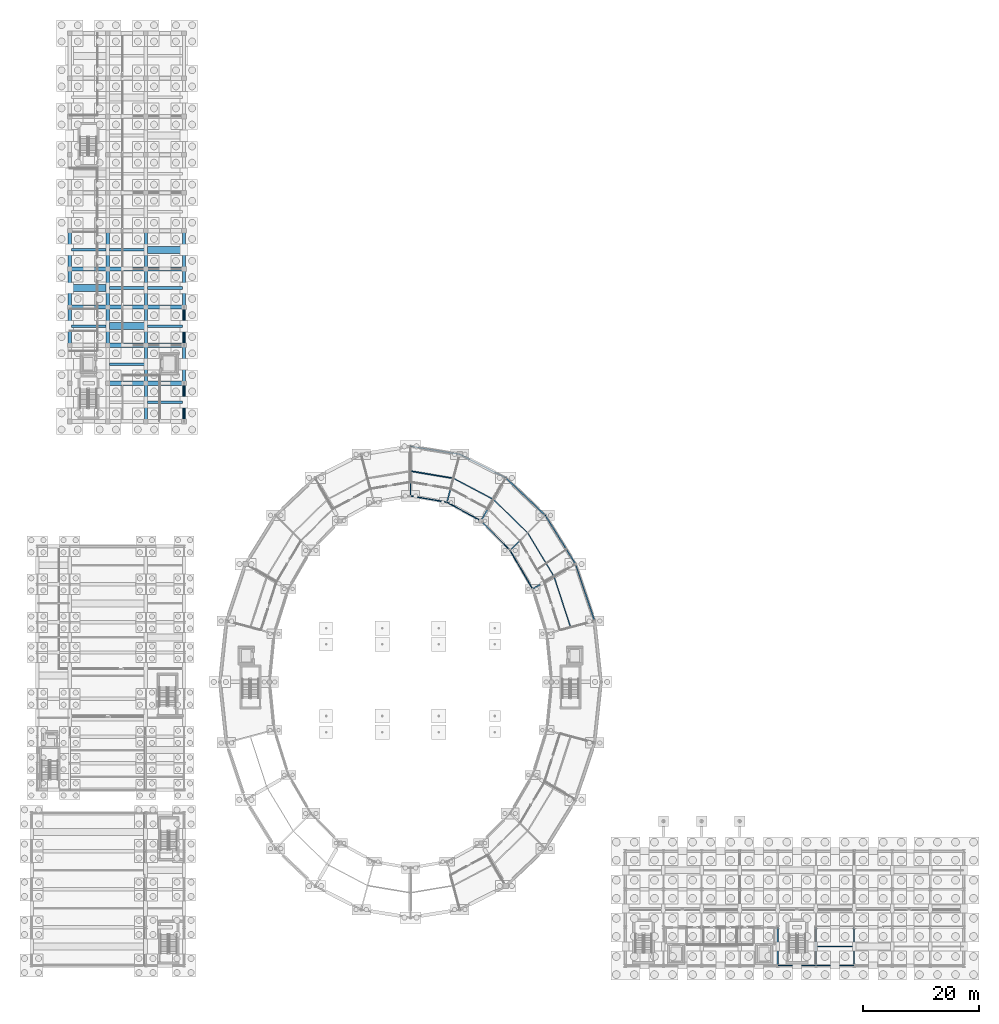
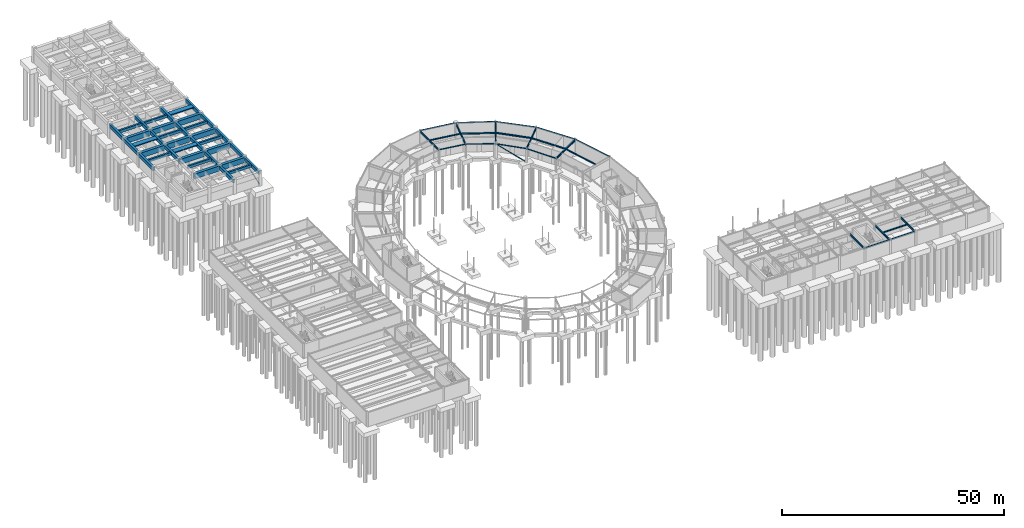
# One storey, part 27 of 58: 62 beams, 3 members.
"""IFC4 building model written with IfcOpenShell, lengths in metres."""

import ifcopenshell
import ifcopenshell.guid

model = None  # the IFC model being written
_history = None  # IfcOwnerHistory: only IFC2X3 demands one
_inside = {}  # id of a spatial element -> (the spatial element, [elements in it])
_under = {}  # id of a project, library or spatial element -> (it, [spatial elements below it])
_declared = {}  # id of a project -> (the project, [libraries it declares])
_typed = {}  # id of a type object -> (the type object, [elements of that type])
_made_of = {}  # id of a material, layer set ... -> (it, [elements and type objects made of it])


def new_model(schema):
    """Start an empty IFC model of exactly this schema.

    Asked for "IFC4X3", IfcOpenShell would pick the latest addendum, in which some entities
    have other attributes; the version numbers below select the first issue.
    IFC2X3 requires an IfcOwnerHistory on every rooted entity: one is made here for all.
    """
    global model, _history
    if schema == "IFC4X3":
        model = ifcopenshell.file(schema_version=(4, 3, 0, 0))
    else:
        model = ifcopenshell.file(schema=schema)
    _inside.clear()
    _under.clear()
    _declared.clear()
    _typed.clear()
    _made_of.clear()
    _history = None
    if model.schema == "IFC2X3":
        org = make("IfcOrganization", Name="unknown")
        user = make(
            "IfcPersonAndOrganization",
            ThePerson=make("IfcPerson", FamilyName="unknown"),
            TheOrganization=org,
        )
        app = make(
            "IfcApplication",
            ApplicationDeveloper=org,
            Version="unknown",
            ApplicationFullName="unknown",
            ApplicationIdentifier="unknown",
        )
        _history = make(
            "IfcOwnerHistory",
            OwningUser=user,
            OwningApplication=app,
            ChangeAction="ADDED",
            CreationDate=0,
        )
    return model


def make(cls, **values):
    """One entity of the class cls with the attributes given. An attribute that is None is left unset."""
    return model.create_entity(
        cls, **{name: value for name, value in values.items() if value is not None}
    )


def rooted(cls, **values):
    """An entity with a GlobalId (a new one), such as an element, a storey or a relation."""
    return make(cls, GlobalId=ifcopenshell.guid.new(), OwnerHistory=_history, **values)


def si_unit(unit_type, name, prefix=None):
    """IfcSIUnit, for example si_unit("LENGTHUNIT", "METRE", prefix="MILLI")."""
    return make("IfcSIUnit", UnitType=unit_type, Prefix=prefix, Name=name)


def assignment(units):
    """IfcUnitAssignment: the units of a project."""
    return None if units is None else make("IfcUnitAssignment", Units=units)


def point(xyz):
    """IfcCartesianPoint."""
    return None if xyz is None else make("IfcCartesianPoint", Coordinates=xyz)


def direction(xyz):
    """IfcDirection."""
    return None if xyz is None else make("IfcDirection", DirectionRatios=xyz)


def frame(location, z_axis=None, x_axis=None):
    """IfcAxis2Placement3D, a coordinate frame: its origin and axes. An axis left out is left unset."""
    return make(
        "IfcAxis2Placement3D",
        Location=point(location),
        Axis=direction(z_axis),
        RefDirection=direction(x_axis),
    )


def frame_2d(location, x_axis=None):
    """IfcAxis2Placement2D, a coordinate frame in the plane: its origin and x axis."""
    return make(
        "IfcAxis2Placement2D", Location=point(location), RefDirection=direction(x_axis)
    )


def origin():
    """The frame at (0, 0, 0) with its axes left unset."""
    return frame((0.0, 0.0, 0.0))


def origin_2d():
    """The frame at (0, 0) in the plane with its x axis left unset."""
    return frame_2d((0.0, 0.0))


def place(relative_to, where):
    """IfcLocalPlacement: puts the frame where relative to a parent placement (None: the world)."""
    return make(
        "IfcLocalPlacement", PlacementRelTo=relative_to, RelativePlacement=where
    )


def context(
    kind, dimensions, precision=None, world=None, true_north=None, identifier=None
):
    """IfcGeometricRepresentationContext, for example the 3D "Model" context."""
    return make(
        "IfcGeometricRepresentationContext",
        ContextIdentifier=identifier,
        ContextType=kind,
        CoordinateSpaceDimension=dimensions,
        Precision=precision,
        WorldCoordinateSystem=world,
        TrueNorth=true_north,
    )


def subcontext(parent, identifier, kind, view, scale=None):
    """IfcGeometricRepresentationSubContext, for example "Body" below "Model"."""
    return make(
        "IfcGeometricRepresentationSubContext",
        ContextIdentifier=identifier,
        ContextType=kind,
        ParentContext=parent,
        TargetScale=scale,
        TargetView=view,
    )


def project(units=None, contexts=None):
    """IfcProject with its units and contexts."""
    return rooted(
        "IfcProject",
        Name="project",
        RepresentationContexts=contexts,
        UnitsInContext=assignment(units),
    )


def spatial(cls, under=None, at=None, **own):
    """A site, building, storey or space (cls), placed at a placement, below another one or the project."""
    s = rooted(cls, ObjectPlacement=at, **own)
    if under is not None:
        _under.setdefault(under.id(), (under, []))[1].append(s)
    return s


def profile(cls, at=None, kind="AREA", **sizes):
    """A parametric profile (cls). Its sizes go by their IFC names, for example OverallWidth=200.0."""
    return make(cls, ProfileType=kind, Position=at, **sizes)


def rectangle(**sizes):
    """IfcRectangleProfileDef."""
    return profile("IfcRectangleProfileDef", **sizes)


def hollow_rectangle(**sizes):
    """IfcRectangleHollowProfileDef."""
    return profile("IfcRectangleHollowProfileDef", **sizes)


def hollow_circle(**sizes):
    """IfcCircleHollowProfileDef."""
    return profile("IfcCircleHollowProfileDef", **sizes)


def i_section(**sizes):
    """IfcIShapeProfileDef."""
    return profile("IfcIShapeProfileDef", **sizes)


def extrude(swept, where, along, depth):
    """IfcExtrudedAreaSolid: the profile swept, set in the frame where, extruded along a direction by depth."""
    return make(
        "IfcExtrudedAreaSolid",
        SweptArea=swept,
        Position=where,
        ExtrudedDirection=direction(along),
        Depth=depth,
    )


def shape(context_of_items, identifier, shape_type, items):
    """IfcShapeRepresentation: the items that make up one representation, for example the "Body"."""
    return make(
        "IfcShapeRepresentation",
        ContextOfItems=context_of_items,
        RepresentationIdentifier=identifier,
        RepresentationType=shape_type,
        Items=items,
    )


def material(Name=None, Category=None):
    """IfcMaterial."""
    return make("IfcMaterial", Name=Name, Category=Category)


def material_profile(
    of_material, cross_section, Name=None, Category=None, Priority=None
):
    """IfcMaterialProfile: a cross section and its material."""
    return make(
        "IfcMaterialProfile",
        Name=Name,
        Material=of_material,
        Profile=cross_section,
        Priority=Priority,
        Category=Category,
    )


def profile_set(profiles, Name=None, composite=None):
    """IfcMaterialProfileSet."""
    return make(
        "IfcMaterialProfileSet",
        Name=Name,
        MaterialProfiles=profiles,
        CompositeProfile=composite,
    )


def made_of(thing, what):
    """Note that an element or type object is made of a material, layer set ...; save() writes the relation."""
    if what is not None:
        _made_of.setdefault(what.id(), (what, []))[1].append(thing)
    return thing


def type_object(cls, material=None, **own):
    """A type object (cls), such as IfcWallType, which elements share."""
    return made_of(rooted(cls, **own), material)


def element(
    cls,
    number,
    at=None,
    inside=None,
    cuts=None,
    type_object=None,
    material=None,
    context=None,
    identifier="Body",
    shape_type=None,
    held_by="IfcProductDefinitionShape",
    body=None,
    shapes=None,
    **own,
):
    """One element of the class cls, such as IfcWall. Its Tag is "e" and its number.

    at: its placement. inside: the storey or other place that contains it. cuts: it is an
    opening in that element (IfcRelVoidsElement). A single representation is given by context,
    identifier, shape_type and body (its items); several are given by shapes. held_by: the class
    of the entity that holds the representations. save() writes the other relations.
    """
    e = rooted(cls, Tag="e%d" % number, ObjectPlacement=at, **own)
    if body is not None:
        shapes = [shape(context, identifier, shape_type, body)]
    if shapes is not None:
        e.Representation = make(held_by, Representations=shapes)
    if inside is not None:
        _inside.setdefault(inside.id(), (inside, []))[1].append(e)
    if cuts is not None:
        rooted(
            "IfcRelVoidsElement", RelatingBuildingElement=cuts, RelatedOpeningElement=e
        )
    if type_object is not None:
        _typed.setdefault(type_object.id(), (type_object, []))[1].append(e)
    return made_of(e, material)


def aggregate(whole, parts):
    """IfcRelAggregates: a whole, such as a stair, and the parts it consists of."""
    return rooted("IfcRelAggregates", RelatingObject=whole, RelatedObjects=parts)


def save(model, path):
    """Write the relations noted so far, then the file.

    IfcRelAggregates (storeys below a building ...), IfcRelContainedInSpatialStructure (elements
    in a storey), IfcRelDefinesByType, IfcRelAssociatesMaterial and IfcRelDeclares: one each for
    every whole, place, type object, material and project.
    """
    for whole, parts in _under.values():
        aggregate(whole, parts)
    for where, things in _inside.values():
        rooted(
            "IfcRelContainedInSpatialStructure",
            RelatedElements=things,
            RelatingStructure=where,
        )
    for kind, things in _typed.values():
        rooted("IfcRelDefinesByType", RelatedObjects=things, RelatingType=kind)
    for what, things in _made_of.values():
        rooted("IfcRelAssociatesMaterial", RelatedObjects=things, RelatingMaterial=what)
    for by, libraries in _declared.values():
        rooted("IfcRelDeclares", RelatingContext=by, RelatedDefinitions=libraries)
    model.write(path)


model = new_model("IFC4")

# Units and contexts
model_context = context("Model", 3, precision=1e-05, world=origin(), true_north=direction((0.0, 1.0)))
body_context = subcontext(model_context, "Body", "Model", "MODEL_VIEW")
ifc_project = project(units=[si_unit("LENGTHUNIT", "METRE"), si_unit("AREAUNIT", "SQUARE_METRE"), si_unit("VOLUMEUNIT", "CUBIC_METRE"), si_unit("PLANEANGLEUNIT", "RADIAN"), si_unit("MASSUNIT", "GRAM", prefix="KILO")], contexts=[model_context])

# Site, building, storey
site_placement = place(None, origin())
site = spatial("IfcSite", under=ifc_project, at=site_placement, CompositionType="ELEMENT")
building_placement = place(site_placement, origin())
building = spatial("IfcBuilding", under=site, at=building_placement, Name="Karori Crest Natural Sciences Institute", CompositionType="ELEMENT")
storey_placement = place(building_placement, frame((0.0, 0.0, -4.199951171875)))
storey = spatial("IfcBuildingStorey", under=building, at=storey_placement, Name="B1", CompositionType="ELEMENT", Elevation=-4.199951171875)

# Beams
ifc_material_1 = material(Name="Structural steel AS/NZS 3679.1 Grade 350", Category="steel")
ifc_material_profile_1 = material_profile(ifc_material_1, i_section(OverallWidth=0.22900390625, OverallDepth=0.612060546875, WebThickness=0.011962890625, FlangeThickness=0.01953125, FilletRadius=0.013916015625, at=origin_2d()), Name="610UB125")
ifc_profile_set_1 = profile_set([ifc_material_profile_1], Name="Structural steel AS/NZS 3679.1 Grade 350")
beam_type_1 = type_object("IfcBeamType", Name="BT-04", PredefinedType="BEAM", material=ifc_profile_set_1)
beam_1_placement = place(storey_placement, frame((78.60009765625, 77.785888671875, 3.634033203125), z_axis=(0.499973925258, 0.86604045752, 0.0), x_axis=(-0.86604045752, 0.499973925258, 0.0)))
element("IfcBeam", 1, at=beam_1_placement, inside=storey, type_object=beam_type_1, Name="Beam B-0017", PredefinedType="BEAM", context=body_context, shape_type="SweptSolid", body=[
    extrude(i_section(OverallWidth=0.22900390625, OverallDepth=0.612060546875, WebThickness=0.011962890625, FlangeThickness=0.01953125, FilletRadius=0.013916015625, at=origin_2d()), origin(), (0.0, 0.0, 1.0), 8.60009765625),
])
ifc_material_profile_2 = material_profile(ifc_material_1, i_section(OverallWidth=0.208984375, OverallDepth=0.532958984375, WebThickness=0.01025390625, FlangeThickness=0.015625, FilletRadius=0.013916015625, at=origin_2d()), Name="530UB92.4")
ifc_profile_set_2 = profile_set([ifc_material_profile_2], Name="Structural steel AS/NZS 3679.1 Grade 350")
beam_type_2 = type_object("IfcBeamType", Name="BT-05", PredefinedType="BEAM", material=ifc_profile_set_2)
beam_2_placement = place(storey_placement, frame((87.531005859375, 66.0, 3.67333984375), z_axis=(0.866021068297, 0.500007509209, 0.0), x_axis=(-0.500007509209, 0.866021068297, 0.0)))
element("IfcBeam", 2, at=beam_2_placement, inside=storey, type_object=beam_type_2, Name="Beam B-0009", PredefinedType="BEAM", context=body_context, shape_type="SweptSolid", body=[
    extrude(i_section(OverallWidth=0.208984375, OverallDepth=0.532958984375, WebThickness=0.01025390625, FlangeThickness=0.015625, FilletRadius=0.013916015625, at=origin_2d()), origin(), (0.0, 0.0, 1.0), 8.599853515625),
])
beam_3_placement = place(storey_placement, frame((83.6533203125, 72.668701171875, 3.67333984375), z_axis=(0.707106781187, 0.707106781187, 0.0), x_axis=(-0.707106781187, 0.707106781187, 0.0)))
element("IfcBeam", 3, at=beam_3_placement, inside=storey, type_object=beam_type_2, Name="Beam B-0013", PredefinedType="BEAM", context=body_context, shape_type="SweptSolid", body=[
    extrude(i_section(OverallWidth=0.208984375, OverallDepth=0.532958984375, WebThickness=0.01025390625, FlangeThickness=0.015625, FilletRadius=0.013916015625, at=origin_2d()), origin(), (0.0, 0.0, 1.0), 8.600341796875),
])
beam_4_placement = place(storey_placement, frame((66.39990234375, 82.10009765625, 3.67333984375), z_axis=(0.0, 1.0, 0.0), x_axis=(-1.0, 0.0, 0.0)))
element("IfcBeam", 4, at=beam_4_placement, inside=storey, type_object=beam_type_2, Name="Beam B-0025", PredefinedType="BEAM", context=body_context, shape_type="SweptSolid", body=[
    extrude(i_section(OverallWidth=0.208984375, OverallDepth=0.532958984375, WebThickness=0.01025390625, FlangeThickness=0.015625, FilletRadius=0.013916015625, at=origin_2d()), origin(), (0.0, 0.0, 1.0), 8.599853515625),
])
for number, where, z_axis, x_axis, name in (
    (5, (130.0, 0.800048828125, 3.653564453125), (0.0, 1.0, 0.0), (-1.0, 0.0, 0.0), "Beam B-1980"),
    (6, (136.60009765625, 0.800048828125, 3.653564453125), (0.0, 1.0, 0.0), (-1.0, 0.0, 0.0), "Beam B-1983"),
    (7, (143.199951171875, 0.800048828125, 3.653564453125), (0.0, 1.0, 0.0), (-1.0, 0.0, 0.0), "Beam B-1986"),
):
    element("IfcBeam", number, at=place(storey_placement, frame(where, z_axis=z_axis, x_axis=x_axis)), inside=storey, type_object=beam_type_2, Name=name, PredefinedType="BEAM", context=body_context, shape_type="SweptSolid", body=[
        extrude(i_section(OverallWidth=0.208984375, OverallDepth=0.532958984375, WebThickness=0.01025390625, FlangeThickness=0.015625, FilletRadius=0.013916015625, at=origin_2d()), origin(), (0.0, 0.0, 1.0), 6.599853515625),
    ])
ifc_material_profile_3 = material_profile(ifc_material_1, i_section(OverallWidth=0.172119140625, OverallDepth=0.35888671875, WebThickness=0.008056640625, FlangeThickness=0.012939453125, FilletRadius=0.010986328125, at=origin_2d()), Name="360UB56.7")
ifc_profile_set_3 = profile_set([ifc_material_profile_3], Name="Structural steel AS/NZS 3679.1 Grade 350")
beam_type_3 = type_object("IfcBeamType", Name="BT-08", PredefinedType="BEAM", material=ifc_profile_set_3)
beam_5_placement = place(storey_placement, frame((136.70458984375, 4.10009765625, 3.740478515625), z_axis=(1.0, 0.0, 0.0), x_axis=(0.0, 1.0, 0.0)))
element("IfcBeam", 8, at=beam_5_placement, inside=storey, type_object=beam_type_3, Name="Beam B-2009", PredefinedType="BEAM", context=body_context, shape_type="SweptSolid", body=[
    extrude(i_section(OverallWidth=0.172119140625, OverallDepth=0.35888671875, WebThickness=0.008056640625, FlangeThickness=0.012939453125, FilletRadius=0.010986328125, at=origin_2d()), origin(), (0.0, 0.0, 1.0), 6.390869140625),
])
ifc_material_profile_4 = material_profile(ifc_material_1, i_section(OverallWidth=0.166015625, OverallDepth=0.306884765625, WebThickness=0.006591796875, FlangeThickness=0.01171875, FilletRadius=0.010986328125, at=origin_2d()), Name="310UB46.2")
ifc_profile_set_4 = profile_set([ifc_material_profile_4], Name="Structural steel AS/NZS 3679.1 Grade 350")
beam_type_4 = type_object("IfcBeamType", Name="BT-09", PredefinedType="BEAM", material=ifc_profile_set_4)
beam_6_placement = place(storey_placement, frame((86.608154296875, 75.793212890625, 3.786376953125), z_axis=(-0.715696324431, 0.698411605857, 0.0), x_axis=(-0.698411605857, -0.715696324431, 0.0)))
element("IfcBeam", 9, at=beam_6_placement, inside=storey, type_object=beam_type_4, Name="Beam B-0014", PredefinedType="BEAM", context=body_context, shape_type="SweptSolid", body=[
    extrude(i_section(OverallWidth=0.166015625, OverallDepth=0.306884765625, WebThickness=0.006591796875, FlangeThickness=0.01171875, FilletRadius=0.010986328125, at=origin_2d()), origin(), (0.0, 0.0, 1.0), 8.065185546875),
])
ifc_material_profile_5 = material_profile(ifc_material_1, i_section(OverallWidth=0.1650390625, OverallDepth=0.303955078125, WebThickness=0.006103515625, FlangeThickness=0.01025390625, FilletRadius=0.010986328125, at=origin_2d()), Name="310UB40.4")
ifc_profile_set_5 = profile_set([ifc_material_profile_5], Name="Structural steel AS/NZS 3679.1 Grade 350")
beam_type_5 = type_object("IfcBeamType", Name="BT-10", PredefinedType="BEAM", material=ifc_profile_set_5)
beam_7_placement = place(storey_placement, frame((91.19287109375, 68.252685546875, 3.787841796875), z_axis=(-0.516601017309, 0.856226248672, 0.0), x_axis=(-0.856226248672, -0.516601017309, 0.0)))
element("IfcBeam", 10, at=beam_7_placement, inside=storey, type_object=beam_type_5, Name="Beam B-0010", PredefinedType="BEAM", context=body_context, shape_type="SweptSolid", body=[
    extrude(i_section(OverallWidth=0.1650390625, OverallDepth=0.303955078125, WebThickness=0.006103515625, FlangeThickness=0.01025390625, FilletRadius=0.010986328125, at=origin_2d()), origin(), (0.0, 0.0, 1.0), 8.5888671875),
])
ifc_material_2 = material(Name="Hollow structural steel AS/NZS 1163 Grade C350", Category="steel")
ifc_material_profile_6 = material_profile(ifc_material_2, hollow_rectangle(XDim=0.199951171875, YDim=0.39990234375, WallThickness=0.012451171875, at=origin_2d()), Name="RHS400x200x12.5")
ifc_profile_set_6 = profile_set([ifc_material_profile_6], Name="Hollow structural steel AS/NZS 1163 Grade C350")
beam_type_6 = type_object("IfcBeamType", Name="BT-14", PredefinedType="SPANDREL", material=ifc_profile_set_6)
beam_8_placement = place(storey_placement, frame((130.0, 0.800048828125, 3.719970703125), z_axis=(1.0, 0.0, 0.0), x_axis=(0.0, 1.0, 0.0)))
element("IfcBeam", 11, at=beam_8_placement, inside=storey, type_object=beam_type_6, Name="Beam B-1938", PredefinedType="SPANDREL", context=body_context, shape_type="SweptSolid", body=[
    extrude(hollow_rectangle(XDim=0.199951171875, YDim=0.39990234375, WallThickness=0.012451171875, at=origin_2d()), origin(), (0.0, 0.0, 1.0), 6.60009765625),
])
beam_9_placement = place(storey_placement, frame((136.60009765625, 0.800048828125, 3.719970703125), z_axis=(1.0, 0.0, 0.0), x_axis=(0.0, 1.0, 0.0)))
element("IfcBeam", 12, at=beam_9_placement, inside=storey, type_object=beam_type_6, Name="Beam B-1939", PredefinedType="SPANDREL", context=body_context, shape_type="SweptSolid", body=[
    extrude(hollow_rectangle(XDim=0.199951171875, YDim=0.39990234375, WallThickness=0.012451171875, at=origin_2d()), origin(), (0.0, 0.0, 1.0), 6.599853515625),
])
ifc_material_profile_7 = material_profile(ifc_material_2, hollow_rectangle(XDim=0.199951171875, YDim=0.300048828125, WallThickness=0.010009765625, at=origin_2d()), Name="RHS300x200x10")
ifc_profile_set_7 = profile_set([ifc_material_profile_7], Name="Hollow structural steel AS/NZS 1163 Grade C350")
beam_type_7 = type_object("IfcBeamType", Name="BT-15", PredefinedType="SPANDREL", material=ifc_profile_set_7)
beam_10_placement = place(storey_placement, frame((98.275634765625, 60.459716796875, 3.7900390625), z_axis=(-0.317681238028, 0.948197569605, 0.0), x_axis=(-0.948197569605, -0.317681238028, 0.0)))
element("IfcBeam", 13, at=beam_10_placement, inside=storey, type_object=beam_type_7, Name="Beam B-0003", PredefinedType="SPANDREL", context=body_context, shape_type="SweptSolid", body=[
    extrude(hollow_rectangle(XDim=0.199951171875, YDim=0.300048828125, WallThickness=0.010009765625, at=origin_2d()), origin(), (0.0, 0.0, 1.0), 10.3779296875),
])
beam_11_placement = place(storey_placement, frame((94.978759765625, 70.300048828125, 3.7900390625), z_axis=(-0.527315195609, 0.849669750244, 0.0), x_axis=(-0.849669750244, -0.527315195609, 0.0)))
element("IfcBeam", 14, at=beam_11_placement, inside=storey, type_object=beam_type_7, Name="Beam B-0007", PredefinedType="SPANDREL", context=body_context, shape_type="SweptSolid", body=[
    extrude(hollow_rectangle(XDim=0.199951171875, YDim=0.300048828125, WallThickness=0.010009765625, at=origin_2d()), origin(), (0.0, 0.0, 1.0), 9.945068359375),
])
beam_12_placement = place(storey_placement, frame((89.734619140625, 78.75, 3.7900390625), z_axis=(-0.725481282589, 0.688241896874, 0.0), x_axis=(-0.688241896874, -0.725481282589, 0.0)))
element("IfcBeam", 15, at=beam_12_placement, inside=storey, type_object=beam_type_7, Name="Beam B-0011", PredefinedType="SPANDREL", context=body_context, shape_type="SweptSolid", body=[
    extrude(hollow_rectangle(XDim=0.199951171875, YDim=0.300048828125, WallThickness=0.010009765625, at=origin_2d()), origin(), (0.0, 0.0, 1.0), 9.4208984375),
])
beam_13_placement = place(storey_placement, frame((82.89990234375, 85.23388671875, 3.7900390625), z_axis=(-0.890071733872, 0.455820478436, 0.0), x_axis=(-0.455820478436, -0.890071733872, 0.0)))
element("IfcBeam", 16, at=beam_13_placement, inside=storey, type_object=beam_type_7, Name="Beam B-0015", PredefinedType="SPANDREL", context=body_context, shape_type="SweptSolid", body=[
    extrude(hollow_rectangle(XDim=0.199951171875, YDim=0.300048828125, WallThickness=0.010009765625, at=origin_2d()), origin(), (0.0, 0.0, 1.0), 8.94189453125),
])
beam_14_placement = place(storey_placement, frame((74.94091796875, 89.309814453125, 3.7900390625), z_axis=(-0.987012055933, 0.160646199591, 0.0), x_axis=(-0.160646199591, -0.987012055933, 0.0)))
element("IfcBeam", 17, at=beam_14_placement, inside=storey, type_object=beam_type_7, Name="Beam B-0019", PredefinedType="SPANDREL", context=body_context, shape_type="SweptSolid", body=[
    extrude(hollow_rectangle(XDim=0.199951171875, YDim=0.300048828125, WallThickness=0.010009765625, at=origin_2d()), origin(), (0.0, 0.0, 1.0), 8.6533203125),
])
ifc_material_profile_8 = material_profile(ifc_material_2, hollow_rectangle(XDim=0.14990234375, YDim=0.25, WallThickness=0.009033203125, at=origin_2d()), Name="RHS250x150x9")
ifc_profile_set_8 = profile_set([ifc_material_profile_8], Name="Hollow structural steel AS/NZS 1163 Grade C350")
beam_type_8 = type_object("IfcBeamType", Name="BT-16", PredefinedType="SPANDREL", material=ifc_profile_set_8)
beam_15_placement = place(storey_placement, frame((87.531005859375, 66.0, 3.7900390625), z_axis=(-0.502672163425, 0.864477122958, 0.0), x_axis=(-0.864477122958, -0.502672163425, 0.0)))
element("IfcBeam", 18, at=beam_15_placement, inside=storey, type_object=beam_type_8, Name="Beam B-0008", PredefinedType="SPANDREL", context=body_context, shape_type="SweptSolid", body=[
    extrude(hollow_rectangle(XDim=0.14990234375, YDim=0.25, WallThickness=0.009033203125, at=origin_2d()), origin(), (0.0, 0.0, 1.0), 7.714111328125),
])
beam_16_placement = place(storey_placement, frame((83.6533203125, 72.668701171875, 3.7900390625), z_axis=(-0.702645672149, 0.711539921164, 0.0), x_axis=(-0.711539921164, -0.702645672149, 0.0)))
element("IfcBeam", 19, at=beam_16_placement, inside=storey, type_object=beam_type_8, Name="Beam B-0012", PredefinedType="SPANDREL", context=body_context, shape_type="SweptSolid", body=[
    extrude(hollow_rectangle(XDim=0.14990234375, YDim=0.25, WallThickness=0.009033203125, at=origin_2d()), origin(), (0.0, 0.0, 1.0), 7.191650390625),
])
beam_17_placement = place(storey_placement, frame((78.60009765625, 77.785888671875, 3.7900390625), z_axis=(-0.877469531616, 0.47963238119, 0.0), x_axis=(-0.47963238119, -0.877469531616, 0.0)))
element("IfcBeam", 20, at=beam_17_placement, inside=storey, type_object=beam_type_8, Name="Beam B-0016", PredefinedType="SPANDREL", context=body_context, shape_type="SweptSolid", body=[
    extrude(hollow_rectangle(XDim=0.14990234375, YDim=0.25, WallThickness=0.009033203125, at=origin_2d()), origin(), (0.0, 0.0, 1.0), 6.706787109375),
])
beam_18_placement = place(storey_placement, frame((72.715087890625, 81.002685546875, 3.7900390625), z_axis=(-0.985234948316, 0.171207758638, 0.0), x_axis=(-0.171207758638, -0.985234948316, 0.0)))
element("IfcBeam", 21, at=beam_18_placement, inside=storey, type_object=beam_type_8, Name="Beam B-0020", PredefinedType="SPANDREL", context=body_context, shape_type="SweptSolid", body=[
    extrude(hollow_rectangle(XDim=0.14990234375, YDim=0.25, WallThickness=0.009033203125, at=origin_2d()), origin(), (0.0, 0.0, 1.0), 6.409912109375),
])
ifc_material_3 = material(Name="Concrete 50 MPa", Category="concrete")
ifc_material_profile_9 = material_profile(ifc_material_3, rectangle(XDim=0.75, YDim=1.39990234375, at=origin_2d()), Name="RCB750x1400")
ifc_profile_set_9 = profile_set([ifc_material_profile_9], Name="Concrete 50 MPa")
beam_type_9 = type_object("IfcBeamType", Name="BT-17-IL", PredefinedType="BEAM", material=ifc_profile_set_9)
beam_19_placement = place(storey_placement, frame((14.0, 101.60009765625, 3.14990234375), z_axis=(1.0, 0.0, 0.0), x_axis=(0.0, 1.0, 0.0)))
element("IfcBeam", 22, at=beam_19_placement, inside=storey, type_object=beam_type_9, Name="Beam B-1253", PredefinedType="BEAM", context=body_context, shape_type="SweptSolid", body=[
    extrude(rectangle(XDim=0.75, YDim=1.39990234375, at=origin_2d()), origin(), (0.0, 0.0, 1.0), 6.60009765625),
])
beam_20_placement = place(storey_placement, frame((20.60009765625, 101.60009765625, 3.14990234375), z_axis=(1.0, 0.0, 0.0), x_axis=(0.0, 1.0, 0.0)))
element("IfcBeam", 23, at=beam_20_placement, inside=storey, type_object=beam_type_9, Name="Beam B-1254", PredefinedType="BEAM", context=body_context, shape_type="SweptSolid", body=[
    extrude(rectangle(XDim=0.75, YDim=1.39990234375, at=origin_2d()), origin(), (0.0, 0.0, 1.0), 6.599853515625),
])
beam_21_placement = place(storey_placement, frame((14.0, 108.199951171875, 3.14990234375), z_axis=(1.0, 0.0, 0.0), x_axis=(0.0, 1.0, 0.0)))
element("IfcBeam", 24, at=beam_21_placement, inside=storey, type_object=beam_type_9, Name="Beam B-1256", PredefinedType="BEAM", context=body_context, shape_type="SweptSolid", body=[
    extrude(rectangle(XDim=0.75, YDim=1.39990234375, at=origin_2d()), origin(), (0.0, 0.0, 1.0), 6.60009765625),
])
beam_22_placement = place(storey_placement, frame((20.60009765625, 108.199951171875, 3.14990234375), z_axis=(1.0, 0.0, 0.0), x_axis=(0.0, 1.0, 0.0)))
element("IfcBeam", 25, at=beam_22_placement, inside=storey, type_object=beam_type_9, Name="Beam B-1257", PredefinedType="BEAM", context=body_context, shape_type="SweptSolid", body=[
    extrude(rectangle(XDim=0.75, YDim=1.39990234375, at=origin_2d()), origin(), (0.0, 0.0, 1.0), 6.599853515625),
])
for number, where, z_axis, x_axis, name in (
    (26, (7.39990234375, 114.800048828125, 3.14990234375), (1.0, 0.0, 0.0), (0.0, 1.0, 0.0), "Beam B-1258"),
    (27, (14.0, 114.800048828125, 3.14990234375), (1.0, 0.0, 0.0), (0.0, 1.0, 0.0), "Beam B-1259"),
):
    element("IfcBeam", number, at=place(storey_placement, frame(where, z_axis=z_axis, x_axis=x_axis)), inside=storey, type_object=beam_type_9, Name=name, PredefinedType="BEAM", context=body_context, shape_type="SweptSolid", body=[
        extrude(rectangle(XDim=0.75, YDim=1.39990234375, at=origin_2d()), origin(), (0.0, 0.0, 1.0), 6.60009765625),
    ])
beam_23_placement = place(storey_placement, frame((20.60009765625, 114.800048828125, 3.14990234375), z_axis=(1.0, 0.0, 0.0), x_axis=(0.0, 1.0, 0.0)))
element("IfcBeam", 28, at=beam_23_placement, inside=storey, type_object=beam_type_9, Name="Beam B-1260", PredefinedType="BEAM", context=body_context, shape_type="SweptSolid", body=[
    extrude(rectangle(XDim=0.75, YDim=1.39990234375, at=origin_2d()), origin(), (0.0, 0.0, 1.0), 6.599853515625),
])
for number, where, z_axis, x_axis, name in (
    (29, (7.39990234375, 121.39990234375, 3.14990234375), (1.0, 0.0, 0.0), (0.0, 1.0, 0.0), "Beam B-1261"),
    (30, (14.0, 121.39990234375, 3.14990234375), (1.0, 0.0, 0.0), (0.0, 1.0, 0.0), "Beam B-1262"),
):
    element("IfcBeam", number, at=place(storey_placement, frame(where, z_axis=z_axis, x_axis=x_axis)), inside=storey, type_object=beam_type_9, Name=name, PredefinedType="BEAM", context=body_context, shape_type="SweptSolid", body=[
        extrude(rectangle(XDim=0.75, YDim=1.39990234375, at=origin_2d()), origin(), (0.0, 0.0, 1.0), 6.60009765625),
    ])
beam_24_placement = place(storey_placement, frame((20.60009765625, 121.39990234375, 3.14990234375), z_axis=(1.0, 0.0, 0.0), x_axis=(0.0, 1.0, 0.0)))
element("IfcBeam", 31, at=beam_24_placement, inside=storey, type_object=beam_type_9, Name="Beam B-1263", PredefinedType="BEAM", context=body_context, shape_type="SweptSolid", body=[
    extrude(rectangle(XDim=0.75, YDim=1.39990234375, at=origin_2d()), origin(), (0.0, 0.0, 1.0), 6.599853515625),
])
ifc_material_4 = material(Name="Concrete 40 MPa", Category="concrete")
ifc_material_profile_10 = material_profile(ifc_material_4, rectangle(XDim=1.199951171875, YDim=0.300048828125, at=origin_2d()), Name="HCP1200x300")
ifc_profile_set_10 = profile_set([ifc_material_profile_10], Name="Concrete 40 MPa")
beam_type_10 = type_object("IfcBeamType", Name="BT-25", PredefinedType="HOLLOWCORE", material=ifc_profile_set_10)
for number, where, z_axis, x_axis, name in (
    (32, (7.675048828125, 118.10009765625, 3.699951171875), (1.0, 0.0, 0.0), (0.0, 1.0, 0.0), "Beam B-1322"),
    (33, (14.27490234375, 111.5, 3.699951171875), (1.0, 0.0, 0.0), (0.0, 1.0, 0.0), "Beam B-1330"),
    (34, (20.875, 124.699951171875, 3.699951171875), (1.0, 0.0, 0.0), (0.0, 1.0, 0.0), "Beam B-1341"),
):
    element("IfcBeam", number, at=place(storey_placement, frame(where, z_axis=z_axis, x_axis=x_axis)), inside=storey, type_object=beam_type_10, Name=name, PredefinedType="HOLLOWCORE", context=body_context, shape_type="SweptSolid", body=[
        extrude(rectangle(XDim=1.199951171875, YDim=0.300048828125, at=origin_2d()), origin(), (0.0, 0.0, 1.0), 6.050048828125),
    ])
ifc_material_profile_11 = material_profile(ifc_material_1, i_section(OverallWidth=0.22802734375, OverallDepth=0.60205078125, WebThickness=0.010498046875, FlangeThickness=0.014892578125, FilletRadius=0.013916015625, at=origin_2d()), Name="610UB101")
ifc_profile_set_11 = profile_set([ifc_material_profile_11], Name="Structural steel AS/NZS 3679.1 Grade 350")
beam_type_11 = type_object("IfcBeamType", Name="BT-27", PredefinedType="BEAM", material=ifc_profile_set_11)
beam_25_placement = place(storey_placement, frame((72.715087890625, 81.002685546875, 3.638916015625), z_axis=(0.258812709002, 0.96592752402, 0.0), x_axis=(-0.96592752402, 0.258812709002, 0.0)))
element("IfcBeam", 35, at=beam_25_placement, inside=storey, type_object=beam_type_11, Name="Beam B-0021", PredefinedType="BEAM", context=body_context, shape_type="SweptSolid", body=[
    extrude(i_section(OverallWidth=0.22802734375, OverallDepth=0.60205078125, WebThickness=0.010498046875, FlangeThickness=0.014892578125, FilletRadius=0.013916015625, at=origin_2d()), origin(), (0.0, 0.0, 1.0), 8.60009765625),
])
ifc_material_profile_12 = material_profile(ifc_material_1, i_section(OverallWidth=0.177978515625, OverallDepth=0.403076171875, WebThickness=0.007568359375, FlangeThickness=0.010986328125, FilletRadius=0.010986328125, at=origin_2d()), Name="410UB53.7")
ifc_profile_set_12 = profile_set([ifc_material_profile_12], Name="Structural steel AS/NZS 3679.1 Grade 350")
beam_type_12 = type_object("IfcBeamType", Name="BT-29", PredefinedType="BEAM", material=ifc_profile_set_12)
beam_26_placement = place(storey_placement, frame((80.643798828125, 81.56591796875, 3.738525390625), z_axis=(-0.884748465601, 0.466068828197, 0.0), x_axis=(-0.466068828197, -0.884748465601, 0.0)))
element("IfcBeam", 36, at=beam_26_placement, inside=storey, type_object=beam_type_12, Name="Beam B-0018", PredefinedType="BEAM", context=body_context, shape_type="SweptSolid", body=[
    extrude(i_section(OverallWidth=0.177978515625, OverallDepth=0.403076171875, WebThickness=0.007568359375, FlangeThickness=0.010986328125, FilletRadius=0.010986328125, at=origin_2d()), origin(), (0.0, 0.0, 1.0), 7.58349609375),
])
ifc_material_profile_13 = material_profile(ifc_material_1, i_section(OverallWidth=0.1708984375, OverallDepth=0.35595703125, WebThickness=0.00732421875, FlangeThickness=0.011474609375, FilletRadius=0.010986328125, at=origin_2d()), Name="360UB50.7")
ifc_profile_set_13 = profile_set([ifc_material_profile_13], Name="Structural steel AS/NZS 3679.1 Grade 350")
beam_type_13 = type_object("IfcBeamType", Name="BT-30", PredefinedType="BEAM", material=ifc_profile_set_13)
beam_27_placement = place(storey_placement, frame((94.0849609375, 59.4609375, 3.761962890625), z_axis=(-0.309698753032, 0.950834729262, 0.0), x_axis=(-0.950834729262, -0.309698753032, 0.0)))
element("IfcBeam", 37, at=beam_27_placement, inside=storey, type_object=beam_type_13, Name="Beam B-0006", PredefinedType="BEAM", context=body_context, shape_type="SweptSolid", body=[
    extrude(i_section(OverallWidth=0.1708984375, OverallDepth=0.35595703125, WebThickness=0.00732421875, FlangeThickness=0.011474609375, FilletRadius=0.010986328125, at=origin_2d()), origin(), (0.0, 0.0, 1.0), 9.018310546875),
])
beam_28_placement = place(storey_placement, frame((73.709716796875, 85.176025390625, 3.761962890625), z_axis=(-0.986270575365, 0.165137373632, 0.0), x_axis=(-0.165137373632, -0.986270575365, 0.0)))
element("IfcBeam", 38, at=beam_28_placement, inside=storey, type_object=beam_type_13, Name="Beam B-0022", PredefinedType="BEAM", context=body_context, shape_type="SweptSolid", body=[
    extrude(i_section(OverallWidth=0.1708984375, OverallDepth=0.35595703125, WebThickness=0.00732421875, FlangeThickness=0.011474609375, FilletRadius=0.010986328125, at=origin_2d()), origin(), (0.0, 0.0, 1.0), 7.29150390625),
])
ifc_material_profile_14 = material_profile(ifc_material_3, rectangle(XDim=0.550048828125, YDim=0.949951171875, at=origin_2d()), Name="RCB550x950")
ifc_profile_set_14 = profile_set([ifc_material_profile_14], Name="Concrete 50 MPa")
beam_type_14 = type_object("IfcBeamType", Name="BT-34", PredefinedType="BEAM", material=ifc_profile_set_14)
beam_29_placement = place(storey_placement, frame((7.39990234375, 108.199951171875, 3.375), z_axis=(0.0, 1.0, 0.0), x_axis=(-1.0, 0.0, 0.0)))
element("IfcBeam", 39, at=beam_29_placement, inside=storey, type_object=beam_type_14, Name="Beam B-1283", PredefinedType="BEAM", context=body_context, shape_type="SweptSolid", body=[
    extrude(rectangle(XDim=0.550048828125, YDim=0.949951171875, at=origin_2d()), origin(), (0.0, 0.0, 1.0), 6.60009765625),
])
beam_30_placement = place(storey_placement, frame((7.39990234375, 114.800048828125, 3.375), z_axis=(0.0, 1.0, 0.0), x_axis=(-1.0, 0.0, 0.0)))
element("IfcBeam", 40, at=beam_30_placement, inside=storey, type_object=beam_type_14, Name="Beam B-1284", PredefinedType="BEAM", context=body_context, shape_type="SweptSolid", body=[
    extrude(rectangle(XDim=0.550048828125, YDim=0.949951171875, at=origin_2d()), origin(), (0.0, 0.0, 1.0), 6.599853515625),
])
for number, where, z_axis, x_axis, name in (
    (41, (7.39990234375, 121.39990234375, 3.375), (0.0, 1.0, 0.0), (-1.0, 0.0, 0.0), "Beam B-1285"),
    (42, (27.199951171875, 95.0, 3.375), (0.0, 1.0, 0.0), (-1.0, 0.0, 0.0), "Beam B-1311"),
):
    element("IfcBeam", number, at=place(storey_placement, frame(where, z_axis=z_axis, x_axis=x_axis)), inside=storey, type_object=beam_type_14, Name=name, PredefinedType="BEAM", context=body_context, shape_type="SweptSolid", body=[
        extrude(rectangle(XDim=0.550048828125, YDim=0.949951171875, at=origin_2d()), origin(), (0.0, 0.0, 1.0), 6.60009765625),
    ])
beam_31_placement = place(storey_placement, frame((27.199951171875, 101.60009765625, 3.375), z_axis=(0.0, 1.0, 0.0), x_axis=(-1.0, 0.0, 0.0)))
element("IfcBeam", 43, at=beam_31_placement, inside=storey, type_object=beam_type_14, Name="Beam B-1312", PredefinedType="BEAM", context=body_context, shape_type="SweptSolid", body=[
    extrude(rectangle(XDim=0.550048828125, YDim=0.949951171875, at=origin_2d()), origin(), (0.0, 0.0, 1.0), 6.599853515625),
])
beam_32_placement = place(storey_placement, frame((27.199951171875, 108.199951171875, 3.375), z_axis=(0.0, 1.0, 0.0), x_axis=(-1.0, 0.0, 0.0)))
element("IfcBeam", 44, at=beam_32_placement, inside=storey, type_object=beam_type_14, Name="Beam B-1313", PredefinedType="BEAM", context=body_context, shape_type="SweptSolid", body=[
    extrude(rectangle(XDim=0.550048828125, YDim=0.949951171875, at=origin_2d()), origin(), (0.0, 0.0, 1.0), 6.60009765625),
])
beam_33_placement = place(storey_placement, frame((27.199951171875, 114.800048828125, 3.375), z_axis=(0.0, 1.0, 0.0), x_axis=(-1.0, 0.0, 0.0)))
element("IfcBeam", 45, at=beam_33_placement, inside=storey, type_object=beam_type_14, Name="Beam B-1314", PredefinedType="BEAM", context=body_context, shape_type="SweptSolid", body=[
    extrude(rectangle(XDim=0.550048828125, YDim=0.949951171875, at=origin_2d()), origin(), (0.0, 0.0, 1.0), 6.599853515625),
])
beam_34_placement = place(storey_placement, frame((27.199951171875, 121.39990234375, 3.375), z_axis=(0.0, 1.0, 0.0), x_axis=(-1.0, 0.0, 0.0)))
element("IfcBeam", 46, at=beam_34_placement, inside=storey, type_object=beam_type_14, Name="Beam B-1315", PredefinedType="BEAM", context=body_context, shape_type="SweptSolid", body=[
    extrude(rectangle(XDim=0.550048828125, YDim=0.949951171875, at=origin_2d()), origin(), (0.0, 0.0, 1.0), 6.60009765625),
])
ifc_material_profile_15 = material_profile(ifc_material_3, rectangle(XDim=0.550048828125, YDim=0.949951171875, at=origin_2d()), Name="RCB550x950")
ifc_profile_set_15 = profile_set([ifc_material_profile_15], Name="Concrete 50 MPa")
beam_type_15 = type_object("IfcBeamType", Name="BT-34-IL", PredefinedType="BEAM", material=ifc_profile_set_15)
beam_35_placement = place(storey_placement, frame((14.0, 108.199951171875, 3.375), z_axis=(0.0, 1.0, 0.0), x_axis=(-1.0, 0.0, 0.0)))
element("IfcBeam", 47, at=beam_35_placement, inside=storey, type_object=beam_type_15, Name="Beam B-1293", PredefinedType="BEAM", context=body_context, shape_type="SweptSolid", body=[
    extrude(rectangle(XDim=0.550048828125, YDim=0.949951171875, at=origin_2d()), origin(), (0.0, 0.0, 1.0), 6.60009765625),
])
beam_36_placement = place(storey_placement, frame((14.0, 114.800048828125, 3.375), z_axis=(0.0, 1.0, 0.0), x_axis=(-1.0, 0.0, 0.0)))
element("IfcBeam", 48, at=beam_36_placement, inside=storey, type_object=beam_type_15, Name="Beam B-1294", PredefinedType="BEAM", context=body_context, shape_type="SweptSolid", body=[
    extrude(rectangle(XDim=0.550048828125, YDim=0.949951171875, at=origin_2d()), origin(), (0.0, 0.0, 1.0), 6.599853515625),
])
for number, where, z_axis, x_axis, name in (
    (49, (14.0, 121.39990234375, 3.375), (0.0, 1.0, 0.0), (-1.0, 0.0, 0.0), "Beam B-1295"),
    (50, (20.60009765625, 95.0, 3.375), (0.0, 1.0, 0.0), (-1.0, 0.0, 0.0), "Beam B-1301"),
):
    element("IfcBeam", number, at=place(storey_placement, frame(where, z_axis=z_axis, x_axis=x_axis)), inside=storey, type_object=beam_type_15, Name=name, PredefinedType="BEAM", context=body_context, shape_type="SweptSolid", body=[
        extrude(rectangle(XDim=0.550048828125, YDim=0.949951171875, at=origin_2d()), origin(), (0.0, 0.0, 1.0), 6.60009765625),
    ])
beam_37_placement = place(storey_placement, frame((20.60009765625, 101.60009765625, 3.375), z_axis=(0.0, 1.0, 0.0), x_axis=(-1.0, 0.0, 0.0)))
element("IfcBeam", 51, at=beam_37_placement, inside=storey, type_object=beam_type_15, Name="Beam B-1302", PredefinedType="BEAM", context=body_context, shape_type="SweptSolid", body=[
    extrude(rectangle(XDim=0.550048828125, YDim=0.949951171875, at=origin_2d()), origin(), (0.0, 0.0, 1.0), 6.599853515625),
])
beam_38_placement = place(storey_placement, frame((20.60009765625, 108.199951171875, 3.375), z_axis=(0.0, 1.0, 0.0), x_axis=(-1.0, 0.0, 0.0)))
element("IfcBeam", 52, at=beam_38_placement, inside=storey, type_object=beam_type_15, Name="Beam B-1303", PredefinedType="BEAM", context=body_context, shape_type="SweptSolid", body=[
    extrude(rectangle(XDim=0.550048828125, YDim=0.949951171875, at=origin_2d()), origin(), (0.0, 0.0, 1.0), 6.60009765625),
])
beam_39_placement = place(storey_placement, frame((20.60009765625, 114.800048828125, 3.375), z_axis=(0.0, 1.0, 0.0), x_axis=(-1.0, 0.0, 0.0)))
element("IfcBeam", 53, at=beam_39_placement, inside=storey, type_object=beam_type_15, Name="Beam B-1304", PredefinedType="BEAM", context=body_context, shape_type="SweptSolid", body=[
    extrude(rectangle(XDim=0.550048828125, YDim=0.949951171875, at=origin_2d()), origin(), (0.0, 0.0, 1.0), 6.599853515625),
])
beam_40_placement = place(storey_placement, frame((20.60009765625, 121.39990234375, 3.375), z_axis=(0.0, 1.0, 0.0), x_axis=(-1.0, 0.0, 0.0)))
element("IfcBeam", 54, at=beam_40_placement, inside=storey, type_object=beam_type_15, Name="Beam B-1305", PredefinedType="BEAM", context=body_context, shape_type="SweptSolid", body=[
    extrude(rectangle(XDim=0.550048828125, YDim=0.949951171875, at=origin_2d()), origin(), (0.0, 0.0, 1.0), 6.60009765625),
])
ifc_material_profile_16 = material_profile(ifc_material_3, rectangle(XDim=0.449951171875, YDim=0.75, at=origin_2d()), Name="RCB450x750")
ifc_profile_set_16 = profile_set([ifc_material_profile_16], Name="Concrete 50 MPa")
beam_type_16 = type_object("IfcBeamType", Name="BT-35", PredefinedType="BEAM", material=ifc_profile_set_16)
for number, where, z_axis, x_axis, name in (
    (55, (7.675048828125, 111.5, 3.474853515625), (1.0, 0.0, 0.0), (0.0, 1.0, 0.0), "Beam B-1321"),
    (56, (7.675048828125, 124.699951171875, 3.474853515625), (1.0, 0.0, 0.0), (0.0, 1.0, 0.0), "Beam B-1323"),
    (57, (14.27490234375, 104.89990234375, 3.474853515625), (1.0, 0.0, 0.0), (0.0, 1.0, 0.0), "Beam B-1329"),
    (58, (14.27490234375, 118.10009765625, 3.474853515625), (1.0, 0.0, 0.0), (0.0, 1.0, 0.0), "Beam B-1331"),
    (59, (14.27490234375, 124.699951171875, 3.474853515625), (1.0, 0.0, 0.0), (0.0, 1.0, 0.0), "Beam B-1332"),
    (60, (20.875, 98.300048828125, 3.474853515625), (1.0, 0.0, 0.0), (0.0, 1.0, 0.0), "Beam B-1338"),
    (61, (20.875, 111.5, 3.474853515625), (1.0, 0.0, 0.0), (0.0, 1.0, 0.0), "Beam B-1339"),
    (62, (20.875, 118.10009765625, 3.474853515625), (1.0, 0.0, 0.0), (0.0, 1.0, 0.0), "Beam B-1340"),
):
    element("IfcBeam", number, at=place(storey_placement, frame(where, z_axis=z_axis, x_axis=x_axis)), inside=storey, type_object=beam_type_16, Name=name, PredefinedType="BEAM", context=body_context, shape_type="SweptSolid", body=[
        extrude(rectangle(XDim=0.449951171875, YDim=0.75, at=origin_2d()), origin(), (0.0, 0.0, 1.0), 6.050048828125),
    ])

# Members
ifc_material_profile_17 = material_profile(ifc_material_2, hollow_circle(Radius=0.136474609375, WallThickness=0.00927734375, at=origin_2d()), Name="CHS273.0x9.3")
ifc_profile_set_17 = profile_set([ifc_material_profile_17], Name="Hollow structural steel AS/NZS 1163 Grade C350")
member_type_1 = type_object("IfcMemberType", Name="MT-01", PredefinedType="BRACE", material=ifc_profile_set_17)
for number, where, z_axis, x_axis, name in (
    (63, (27.199951171875, 95.0, 0.25), (0.0, 0.948254497736, 0.317511271492), (-1.0, 0.0, 0.0), "Diagonal Brace M-0424"),
    (64, (27.199951171875, 108.199951171875, 0.25), (0.0, 0.948254497736, 0.317511271492), (-1.0, 0.0, 0.0), "Diagonal Brace M-0425"),
):
    element("IfcMember", number, at=place(storey_placement, frame(where, z_axis=z_axis, x_axis=x_axis)), inside=storey, type_object=member_type_1, Name=name, PredefinedType="BRACE", context=body_context, shape_type="SweptSolid", body=[
        extrude(hollow_circle(Radius=0.136474609375, WallThickness=0.00927734375, at=origin_2d()), origin(), (0.0, 0.0, 1.0), 6.960205078125),
    ])
ifc_material_profile_18 = material_profile(ifc_material_2, hollow_circle(Radius=0.109619140625, WallThickness=0.00830078125, at=origin_2d()), Name="CHS219.1x8.2")
ifc_profile_set_18 = profile_set([ifc_material_profile_18], Name="Hollow structural steel AS/NZS 1163 Grade C350")
member_type_2 = type_object("IfcMemberType", Name="MT-02", PredefinedType="BRACE", material=ifc_profile_set_18)
member_placement = place(storey_placement, frame((83.442626953125, 72.88232421875, 0.25), z_axis=(-0.624493726824, 0.632360794119, 0.458396565452), x_axis=(-0.711518857686, -0.702667001614, 0.0)))
element("IfcMember", 65, at=member_placement, inside=storey, type_object=member_type_2, Name="Diagonal Brace M-0001", PredefinedType="BRACE", context=body_context, shape_type="SweptSolid", body=[
    extrude(hollow_circle(Radius=0.109619140625, WallThickness=0.00830078125, at=origin_2d()), origin(), (0.0, 0.0, 1.0), 7.4169921875),
])

save(model, "model.ifc")
